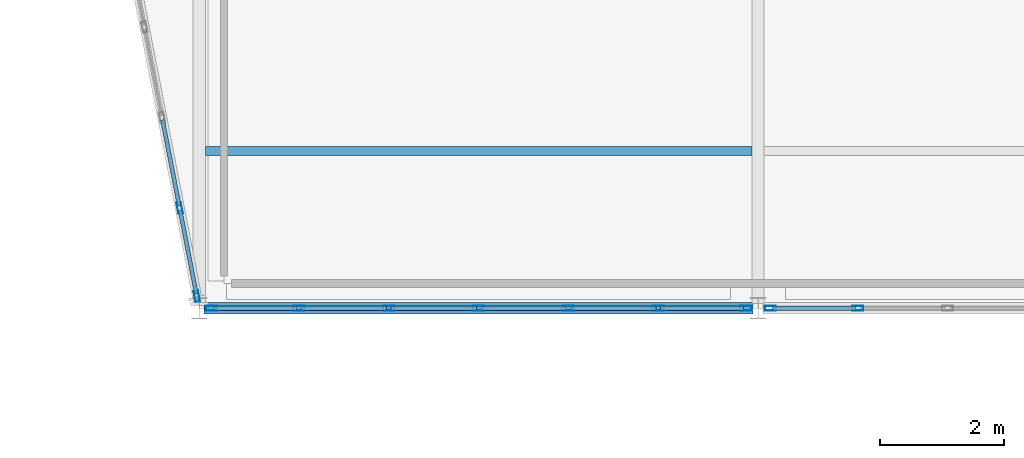
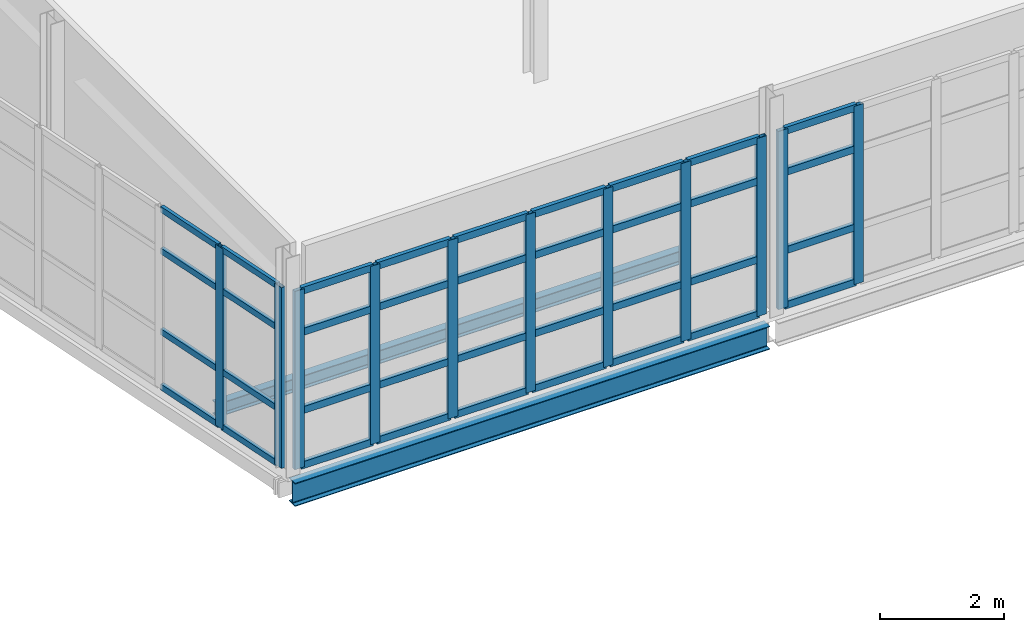
# One storey, part 63 of 174: 47 members, 2 beams, 3 elements without a shape of their own.
"""IFC4 building model written with IfcOpenShell, lengths in metres."""

from ifc_helpers import new_model, si_unit, direction, frame, origin, origin_2d, place, context, subcontext, project, spatial, hollow_rectangle, i_section, extrude, material, material_profile, profile_set, type_object, element, aggregate, save


model = new_model("IFC4")

# Units and contexts
model_context = context("Model", 3, precision=1e-05, world=origin(), true_north=direction((0.0, 1.0)))
body_context = subcontext(model_context, "Body", "Model", "MODEL_VIEW")
ifc_project = project(units=[si_unit("LENGTHUNIT", "METRE"), si_unit("AREAUNIT", "SQUARE_METRE"), si_unit("VOLUMEUNIT", "CUBIC_METRE"), si_unit("PLANEANGLEUNIT", "RADIAN"), si_unit("MASSUNIT", "GRAM", prefix="KILO")], contexts=[model_context])

# Site, building, storey
site_placement = place(None, origin())
site = spatial("IfcSite", under=ifc_project, at=site_placement, CompositionType="ELEMENT")
building_placement = place(site_placement, origin())
building = spatial("IfcBuilding", under=site, at=building_placement, Name="Caisbarro Railhouse Central Library", CompositionType="ELEMENT")
storey_placement = place(building_placement, frame((0.0, 0.0, 5.0400390625)))
storey = spatial("IfcBuildingStorey", under=building, at=storey_placement, Name="L01", CompositionType="ELEMENT", Elevation=5.0400390625)

# Beams
ifc_material_1 = material(Name="Steel ASTM A572 Grade 50", Category="steel")
ifc_material_profile_1 = material_profile(ifc_material_1, i_section(OverallWidth=0.14794921875, OverallDepth=0.26611328125, WebThickness=0.007568359375, FlangeThickness=0.012939453125, FilletRadius=0.010009765625, at=origin_2d()), Name="W250X44.8")
ifc_profile_set_1 = profile_set([ifc_material_profile_1], Name="Steel ASTM A572 Grade 50")
beam_type_1 = type_object("IfcBeamType", Name="BM-J04", PredefinedType="JOIST", material=ifc_profile_set_1)
beam_1_placement = place(storey_placement, frame((117.10009765625, 63.333251953125, -0.35302734375), z_axis=(1.0, 0.0, 0.0), x_axis=(0.0, 1.0, 0.0)))
element("IfcBeam", 1, at=beam_1_placement, inside=storey, type_object=beam_type_1, Name="J04 beam L01 #964", PredefinedType="JOIST", context=body_context, shape_type="SweptSolid", body=[
    extrude(i_section(OverallWidth=0.14794921875, OverallDepth=0.26611328125, WebThickness=0.007568359375, FlangeThickness=0.012939453125, FilletRadius=0.010009765625, at=origin_2d()), origin(), (0.0, 0.0, 1.0), 8.804931640625),
])
ifc_material_profile_2 = material_profile(ifc_material_1, i_section(OverallWidth=0.18994140625, OverallDepth=0.45703125, WebThickness=0.009033203125, FlangeThickness=0.014404296875, FilletRadius=0.01806640625, at=origin_2d()), Name="W460X74.0")
ifc_profile_set_2 = profile_set([ifc_material_profile_2], Name="Steel ASTM A572 Grade 50")
beam_type_2 = type_object("IfcBeamType", Name="BM-SP01", PredefinedType="SPANDREL", material=ifc_profile_set_2)
beam_2_placement = place(storey_placement, frame((117.080078125, 60.800048828125, -0.448486328125), z_axis=(1.0, 0.0, 0.0), x_axis=(0.0, 1.0, 0.0)))
element("IfcBeam", 2, at=beam_2_placement, inside=storey, type_object=beam_type_2, Name="SP01 beam L01 #901", PredefinedType="SPANDREL", context=body_context, shape_type="SweptSolid", body=[
    extrude(i_section(OverallWidth=0.18994140625, OverallDepth=0.45703125, WebThickness=0.009033203125, FlangeThickness=0.014404296875, FilletRadius=0.01806640625, at=origin_2d()), origin(), (0.0, 0.0, 1.0), 8.83984375),
])

# Curtain wall, members
ifc_material_2 = material(Name="Anodised architectural aluminium", Category="aluminium")
curtain_wall_type = type_object("IfcCurtainWallType", Name="CW-CW02", PredefinedType="NOTDEFINED", material=ifc_material_2)
curtain_wall_1_placement = place(storey_placement, origin())
curtain_wall_1 = element("IfcCurtainWall", 3, at=curtain_wall_1_placement, inside=storey, type_object=curtain_wall_type, Name="CW02 curtain wall L01 #110", PredefinedType="NOTDEFINED")
ifc_material_profile_3 = material_profile(ifc_material_2, hollow_rectangle(XDim=0.074951171875, YDim=0.179931640625, WallThickness=0.00439453125, at=origin_2d()), Name="ALU-MUL-75X180")
ifc_profile_set_3 = profile_set([ifc_material_profile_3], Name="Anodised architectural aluminium")
member_type_1 = type_object("IfcMemberType", Name="CWM-M01", PredefinedType="MULLION", material=ifc_profile_set_3)
member_1_placement = place(storey_placement, frame((116.96240234375, 60.993896484375, 0.0), z_axis=(0.0, 0.0, 1.0), x_axis=(-0.981632635401, -0.190780945369, 0.0)))
member_1 = element("IfcMember", 4, at=member_1_placement, type_object=member_type_1, Name="CW02 mullion 1", PredefinedType="MULLION", context=body_context, shape_type="SweptSolid", body=[
    extrude(hollow_rectangle(XDim=0.074951171875, YDim=0.179931640625, WallThickness=0.00439453125, at=origin_2d()), origin(), (0.0, 0.0, 1.0), 3.56005859375),
])
member_2_placement = place(storey_placement, frame((116.686279296875, 62.414306640625, 0.0), z_axis=(0.0, 0.0, 1.0), x_axis=(-0.981632635401, -0.190780945369, 0.0)))
member_2 = element("IfcMember", 5, at=member_2_placement, type_object=member_type_1, Name="CW02 mullion 2", PredefinedType="MULLION", context=body_context, shape_type="SweptSolid", body=[
    extrude(hollow_rectangle(XDim=0.074951171875, YDim=0.179931640625, WallThickness=0.00439453125, at=origin_2d()), origin(), (0.0, 0.0, 1.0), 3.56005859375),
])

curtain_wall_2_placement = place(storey_placement, origin())
curtain_wall_2 = element("IfcCurtainWall", 6, at=curtain_wall_2_placement, inside=storey, type_object=curtain_wall_type, Name="CW02 curtain wall L01 #117", PredefinedType="NOTDEFINED")
member_3_placement = place(storey_placement, frame((117.197509765625, 60.800048828125, 0.0), z_axis=(0.0, 0.0, 1.0), x_axis=(0.0, 1.0, 0.0)))
member_3 = element("IfcMember", 7, at=member_3_placement, type_object=member_type_1, Name="CW02 mullion 1", PredefinedType="MULLION", context=body_context, shape_type="SweptSolid", body=[
    extrude(hollow_rectangle(XDim=0.074951171875, YDim=0.179931640625, WallThickness=0.00439453125, at=origin_2d()), origin(), (0.0, 0.0, 1.0), 3.510009765625),
])
member_4_placement = place(storey_placement, frame((118.606689453125, 60.800048828125, 0.0), z_axis=(0.0, 0.0, 1.0), x_axis=(0.0, 1.0, 0.0)))
member_4 = element("IfcMember", 8, at=member_4_placement, type_object=member_type_1, Name="CW02 mullion 2", PredefinedType="MULLION", context=body_context, shape_type="SweptSolid", body=[
    extrude(hollow_rectangle(XDim=0.074951171875, YDim=0.179931640625, WallThickness=0.00439453125, at=origin_2d()), origin(), (0.0, 0.0, 1.0), 3.510009765625),
])
member_5_placement = place(storey_placement, frame((120.05322265625, 60.800048828125, 0.0), z_axis=(0.0, 0.0, 1.0), x_axis=(0.0, 1.0, 0.0)))
member_5 = element("IfcMember", 9, at=member_5_placement, type_object=member_type_1, Name="CW02 mullion 3", PredefinedType="MULLION", context=body_context, shape_type="SweptSolid", body=[
    extrude(hollow_rectangle(XDim=0.074951171875, YDim=0.179931640625, WallThickness=0.00439453125, at=origin_2d()), origin(), (0.0, 0.0, 1.0), 3.510009765625),
])
member_6_placement = place(storey_placement, frame((121.5, 60.800048828125, 0.0), z_axis=(0.0, 0.0, 1.0), x_axis=(0.0, 1.0, 0.0)))
member_6 = element("IfcMember", 10, at=member_6_placement, type_object=member_type_1, Name="CW02 mullion 4", PredefinedType="MULLION", context=body_context, shape_type="SweptSolid", body=[
    extrude(hollow_rectangle(XDim=0.074951171875, YDim=0.179931640625, WallThickness=0.00439453125, at=origin_2d()), origin(), (0.0, 0.0, 1.0), 3.510009765625),
])
member_7_placement = place(storey_placement, frame((122.94677734375, 60.800048828125, 0.0), z_axis=(0.0, 0.0, 1.0), x_axis=(0.0, 1.0, 0.0)))
member_7 = element("IfcMember", 11, at=member_7_placement, type_object=member_type_1, Name="CW02 mullion 5", PredefinedType="MULLION", context=body_context, shape_type="SweptSolid", body=[
    extrude(hollow_rectangle(XDim=0.074951171875, YDim=0.179931640625, WallThickness=0.00439453125, at=origin_2d()), origin(), (0.0, 0.0, 1.0), 3.510009765625),
])
member_8_placement = place(storey_placement, frame((124.393310546875, 60.800048828125, 0.0), z_axis=(0.0, 0.0, 1.0), x_axis=(0.0, 1.0, 0.0)))
member_8 = element("IfcMember", 12, at=member_8_placement, type_object=member_type_1, Name="CW02 mullion 6", PredefinedType="MULLION", context=body_context, shape_type="SweptSolid", body=[
    extrude(hollow_rectangle(XDim=0.074951171875, YDim=0.179931640625, WallThickness=0.00439453125, at=origin_2d()), origin(), (0.0, 0.0, 1.0), 3.510009765625),
])
member_9_placement = place(storey_placement, frame((125.802490234375, 60.800048828125, 0.0), z_axis=(0.0, 0.0, 1.0), x_axis=(0.0, 1.0, 0.0)))
member_9 = element("IfcMember", 13, at=member_9_placement, type_object=member_type_1, Name="CW02 mullion 7", PredefinedType="MULLION", context=body_context, shape_type="SweptSolid", body=[
    extrude(hollow_rectangle(XDim=0.074951171875, YDim=0.179931640625, WallThickness=0.00439453125, at=origin_2d()), origin(), (0.0, 0.0, 1.0), 3.510009765625),
])

curtain_wall_3_placement = place(storey_placement, origin())
curtain_wall_3 = element("IfcCurtainWall", 14, at=curtain_wall_3_placement, inside=storey, type_object=curtain_wall_type, Name="CW02 curtain wall L01 #118", PredefinedType="NOTDEFINED")
member_10_placement = place(storey_placement, frame((126.197509765625, 60.800048828125, 0.0), z_axis=(0.0, 0.0, 1.0), x_axis=(0.0, 1.0, 0.0)))
member_10 = element("IfcMember", 15, at=member_10_placement, type_object=member_type_1, Name="CW02 mullion 1", PredefinedType="MULLION", context=body_context, shape_type="SweptSolid", body=[
    extrude(hollow_rectangle(XDim=0.074951171875, YDim=0.179931640625, WallThickness=0.00439453125, at=origin_2d()), origin(), (0.0, 0.0, 1.0), 3.510009765625),
])
member_11_placement = place(storey_placement, frame((127.606689453125, 60.800048828125, 0.0), z_axis=(0.0, 0.0, 1.0), x_axis=(0.0, 1.0, 0.0)))
member_11 = element("IfcMember", 16, at=member_11_placement, type_object=member_type_1, Name="CW02 mullion 2", PredefinedType="MULLION", context=body_context, shape_type="SweptSolid", body=[
    extrude(hollow_rectangle(XDim=0.074951171875, YDim=0.179931640625, WallThickness=0.00439453125, at=origin_2d()), origin(), (0.0, 0.0, 1.0), 3.510009765625),
])

# Member
ifc_material_profile_4 = material_profile(ifc_material_2, hollow_rectangle(XDim=0.074951171875, YDim=0.139892578125, WallThickness=0.00390625, at=origin_2d()), Name="ALU-TRN-75X140")
ifc_profile_set_4 = profile_set([ifc_material_profile_4], Name="Anodised architectural aluminium")
member_type_2 = type_object("IfcMemberType", Name="CWT-T01", PredefinedType="USERDEFINED", material=ifc_profile_set_4)
member_12_placement = place(storey_placement, frame((117.235107421875, 60.800048828125, 0.037353515625), z_axis=(1.0, 0.0, 0.0), x_axis=(0.0, 1.0, 0.0)))
member_12 = element("IfcMember", 17, at=member_12_placement, type_object=member_type_2, Name="CW02 transom 1.1", ObjectType="TRANSOM", PredefinedType="USERDEFINED", context=body_context, shape_type="SweptSolid", body=[
    extrude(hollow_rectangle(XDim=0.074951171875, YDim=0.139892578125, WallThickness=0.00390625, at=origin_2d()), origin(), (0.0, 0.0, 1.0), 1.333984375),
])

member_13_placement = place(storey_placement, frame((117.235107421875, 60.800048828125, 1.119873046875), z_axis=(1.0, 0.0, 0.0), x_axis=(0.0, 1.0, 0.0)))
member_13 = element("IfcMember", 18, at=member_13_placement, type_object=member_type_2, Name="CW02 transom 1.2", ObjectType="TRANSOM", PredefinedType="USERDEFINED", context=body_context, shape_type="SweptSolid", body=[
    extrude(hollow_rectangle(XDim=0.074951171875, YDim=0.139892578125, WallThickness=0.00390625, at=origin_2d()), origin(), (0.0, 0.0, 1.0), 1.333984375),
])

member_14_placement = place(storey_placement, frame((117.235107421875, 60.800048828125, 2.659912109375), z_axis=(1.0, 0.0, 0.0), x_axis=(0.0, 1.0, 0.0)))
member_14 = element("IfcMember", 19, at=member_14_placement, type_object=member_type_2, Name="CW02 transom 1.3", ObjectType="TRANSOM", PredefinedType="USERDEFINED", context=body_context, shape_type="SweptSolid", body=[
    extrude(hollow_rectangle(XDim=0.074951171875, YDim=0.139892578125, WallThickness=0.00390625, at=origin_2d()), origin(), (0.0, 0.0, 1.0), 1.333984375),
])

member_15_placement = place(storey_placement, frame((117.235107421875, 60.800048828125, 3.472412109375), z_axis=(1.0, 0.0, 0.0), x_axis=(0.0, 1.0, 0.0)))
member_15 = element("IfcMember", 20, at=member_15_placement, type_object=member_type_2, Name="CW02 transom 1.4", ObjectType="TRANSOM", PredefinedType="USERDEFINED", context=body_context, shape_type="SweptSolid", body=[
    extrude(hollow_rectangle(XDim=0.074951171875, YDim=0.139892578125, WallThickness=0.00390625, at=origin_2d()), origin(), (0.0, 0.0, 1.0), 1.333984375),
])

member_16_placement = place(storey_placement, frame((118.644287109375, 60.800048828125, 0.037353515625), z_axis=(1.0, 0.0, 0.0), x_axis=(0.0, 1.0, 0.0)))
member_16 = element("IfcMember", 21, at=member_16_placement, type_object=member_type_2, Name="CW02 transom 2.1", ObjectType="TRANSOM", PredefinedType="USERDEFINED", context=body_context, shape_type="SweptSolid", body=[
    extrude(hollow_rectangle(XDim=0.074951171875, YDim=0.139892578125, WallThickness=0.00390625, at=origin_2d()), origin(), (0.0, 0.0, 1.0), 1.37158203125),
])

member_17_placement = place(storey_placement, frame((118.644287109375, 60.800048828125, 1.119873046875), z_axis=(1.0, 0.0, 0.0), x_axis=(0.0, 1.0, 0.0)))
member_17 = element("IfcMember", 22, at=member_17_placement, type_object=member_type_2, Name="CW02 transom 2.2", ObjectType="TRANSOM", PredefinedType="USERDEFINED", context=body_context, shape_type="SweptSolid", body=[
    extrude(hollow_rectangle(XDim=0.074951171875, YDim=0.139892578125, WallThickness=0.00390625, at=origin_2d()), origin(), (0.0, 0.0, 1.0), 1.37158203125),
])

member_18_placement = place(storey_placement, frame((118.644287109375, 60.800048828125, 2.659912109375), z_axis=(1.0, 0.0, 0.0), x_axis=(0.0, 1.0, 0.0)))
member_18 = element("IfcMember", 23, at=member_18_placement, type_object=member_type_2, Name="CW02 transom 2.3", ObjectType="TRANSOM", PredefinedType="USERDEFINED", context=body_context, shape_type="SweptSolid", body=[
    extrude(hollow_rectangle(XDim=0.074951171875, YDim=0.139892578125, WallThickness=0.00390625, at=origin_2d()), origin(), (0.0, 0.0, 1.0), 1.37158203125),
])

member_19_placement = place(storey_placement, frame((118.644287109375, 60.800048828125, 3.472412109375), z_axis=(1.0, 0.0, 0.0), x_axis=(0.0, 1.0, 0.0)))
member_19 = element("IfcMember", 24, at=member_19_placement, type_object=member_type_2, Name="CW02 transom 2.4", ObjectType="TRANSOM", PredefinedType="USERDEFINED", context=body_context, shape_type="SweptSolid", body=[
    extrude(hollow_rectangle(XDim=0.074951171875, YDim=0.139892578125, WallThickness=0.00390625, at=origin_2d()), origin(), (0.0, 0.0, 1.0), 1.37158203125),
])

member_20_placement = place(storey_placement, frame((120.0908203125, 60.800048828125, 0.037353515625), z_axis=(1.0, 0.0, 0.0), x_axis=(0.0, 1.0, 0.0)))
member_20 = element("IfcMember", 25, at=member_20_placement, type_object=member_type_2, Name="CW02 transom 3.1", ObjectType="TRANSOM", PredefinedType="USERDEFINED", context=body_context, shape_type="SweptSolid", body=[
    extrude(hollow_rectangle(XDim=0.074951171875, YDim=0.139892578125, WallThickness=0.00390625, at=origin_2d()), origin(), (0.0, 0.0, 1.0), 1.37158203125),
])

member_21_placement = place(storey_placement, frame((120.0908203125, 60.800048828125, 1.119873046875), z_axis=(1.0, 0.0, 0.0), x_axis=(0.0, 1.0, 0.0)))
member_21 = element("IfcMember", 26, at=member_21_placement, type_object=member_type_2, Name="CW02 transom 3.2", ObjectType="TRANSOM", PredefinedType="USERDEFINED", context=body_context, shape_type="SweptSolid", body=[
    extrude(hollow_rectangle(XDim=0.074951171875, YDim=0.139892578125, WallThickness=0.00390625, at=origin_2d()), origin(), (0.0, 0.0, 1.0), 1.37158203125),
])

member_22_placement = place(storey_placement, frame((120.0908203125, 60.800048828125, 2.659912109375), z_axis=(1.0, 0.0, 0.0), x_axis=(0.0, 1.0, 0.0)))
member_22 = element("IfcMember", 27, at=member_22_placement, type_object=member_type_2, Name="CW02 transom 3.3", ObjectType="TRANSOM", PredefinedType="USERDEFINED", context=body_context, shape_type="SweptSolid", body=[
    extrude(hollow_rectangle(XDim=0.074951171875, YDim=0.139892578125, WallThickness=0.00390625, at=origin_2d()), origin(), (0.0, 0.0, 1.0), 1.37158203125),
])

member_23_placement = place(storey_placement, frame((120.0908203125, 60.800048828125, 3.472412109375), z_axis=(1.0, 0.0, 0.0), x_axis=(0.0, 1.0, 0.0)))
member_23 = element("IfcMember", 28, at=member_23_placement, type_object=member_type_2, Name="CW02 transom 3.4", ObjectType="TRANSOM", PredefinedType="USERDEFINED", context=body_context, shape_type="SweptSolid", body=[
    extrude(hollow_rectangle(XDim=0.074951171875, YDim=0.139892578125, WallThickness=0.00390625, at=origin_2d()), origin(), (0.0, 0.0, 1.0), 1.37158203125),
])

member_24_placement = place(storey_placement, frame((121.53759765625, 60.800048828125, 0.037353515625), z_axis=(1.0, 0.0, 0.0), x_axis=(0.0, 1.0, 0.0)))
member_24 = element("IfcMember", 29, at=member_24_placement, type_object=member_type_2, Name="CW02 transom 4.1", ObjectType="TRANSOM", PredefinedType="USERDEFINED", context=body_context, shape_type="SweptSolid", body=[
    extrude(hollow_rectangle(XDim=0.074951171875, YDim=0.139892578125, WallThickness=0.00390625, at=origin_2d()), origin(), (0.0, 0.0, 1.0), 1.37158203125),
])

member_25_placement = place(storey_placement, frame((121.53759765625, 60.800048828125, 1.119873046875), z_axis=(1.0, 0.0, 0.0), x_axis=(0.0, 1.0, 0.0)))
member_25 = element("IfcMember", 30, at=member_25_placement, type_object=member_type_2, Name="CW02 transom 4.2", ObjectType="TRANSOM", PredefinedType="USERDEFINED", context=body_context, shape_type="SweptSolid", body=[
    extrude(hollow_rectangle(XDim=0.074951171875, YDim=0.139892578125, WallThickness=0.00390625, at=origin_2d()), origin(), (0.0, 0.0, 1.0), 1.37158203125),
])

member_26_placement = place(storey_placement, frame((121.53759765625, 60.800048828125, 2.659912109375), z_axis=(1.0, 0.0, 0.0), x_axis=(0.0, 1.0, 0.0)))
member_26 = element("IfcMember", 31, at=member_26_placement, type_object=member_type_2, Name="CW02 transom 4.3", ObjectType="TRANSOM", PredefinedType="USERDEFINED", context=body_context, shape_type="SweptSolid", body=[
    extrude(hollow_rectangle(XDim=0.074951171875, YDim=0.139892578125, WallThickness=0.00390625, at=origin_2d()), origin(), (0.0, 0.0, 1.0), 1.37158203125),
])

member_27_placement = place(storey_placement, frame((121.53759765625, 60.800048828125, 3.472412109375), z_axis=(1.0, 0.0, 0.0), x_axis=(0.0, 1.0, 0.0)))
member_27 = element("IfcMember", 32, at=member_27_placement, type_object=member_type_2, Name="CW02 transom 4.4", ObjectType="TRANSOM", PredefinedType="USERDEFINED", context=body_context, shape_type="SweptSolid", body=[
    extrude(hollow_rectangle(XDim=0.074951171875, YDim=0.139892578125, WallThickness=0.00390625, at=origin_2d()), origin(), (0.0, 0.0, 1.0), 1.37158203125),
])

member_28_placement = place(storey_placement, frame((122.984130859375, 60.800048828125, 0.037353515625), z_axis=(1.0, 0.0, 0.0), x_axis=(0.0, 1.0, 0.0)))
member_28 = element("IfcMember", 33, at=member_28_placement, type_object=member_type_2, Name="CW02 transom 5.1", ObjectType="TRANSOM", PredefinedType="USERDEFINED", context=body_context, shape_type="SweptSolid", body=[
    extrude(hollow_rectangle(XDim=0.074951171875, YDim=0.139892578125, WallThickness=0.00390625, at=origin_2d()), origin(), (0.0, 0.0, 1.0), 1.37158203125),
])

member_29_placement = place(storey_placement, frame((122.984130859375, 60.800048828125, 1.119873046875), z_axis=(1.0, 0.0, 0.0), x_axis=(0.0, 1.0, 0.0)))
member_29 = element("IfcMember", 34, at=member_29_placement, type_object=member_type_2, Name="CW02 transom 5.2", ObjectType="TRANSOM", PredefinedType="USERDEFINED", context=body_context, shape_type="SweptSolid", body=[
    extrude(hollow_rectangle(XDim=0.074951171875, YDim=0.139892578125, WallThickness=0.00390625, at=origin_2d()), origin(), (0.0, 0.0, 1.0), 1.37158203125),
])

member_30_placement = place(storey_placement, frame((122.984130859375, 60.800048828125, 2.659912109375), z_axis=(1.0, 0.0, 0.0), x_axis=(0.0, 1.0, 0.0)))
member_30 = element("IfcMember", 35, at=member_30_placement, type_object=member_type_2, Name="CW02 transom 5.3", ObjectType="TRANSOM", PredefinedType="USERDEFINED", context=body_context, shape_type="SweptSolid", body=[
    extrude(hollow_rectangle(XDim=0.074951171875, YDim=0.139892578125, WallThickness=0.00390625, at=origin_2d()), origin(), (0.0, 0.0, 1.0), 1.37158203125),
])

member_31_placement = place(storey_placement, frame((122.984130859375, 60.800048828125, 3.472412109375), z_axis=(1.0, 0.0, 0.0), x_axis=(0.0, 1.0, 0.0)))
member_31 = element("IfcMember", 36, at=member_31_placement, type_object=member_type_2, Name="CW02 transom 5.4", ObjectType="TRANSOM", PredefinedType="USERDEFINED", context=body_context, shape_type="SweptSolid", body=[
    extrude(hollow_rectangle(XDim=0.074951171875, YDim=0.139892578125, WallThickness=0.00390625, at=origin_2d()), origin(), (0.0, 0.0, 1.0), 1.37158203125),
])

member_32_placement = place(storey_placement, frame((124.430908203125, 60.800048828125, 0.037353515625), z_axis=(1.0, 0.0, 0.0), x_axis=(0.0, 1.0, 0.0)))
member_32 = element("IfcMember", 37, at=member_32_placement, type_object=member_type_2, Name="CW02 transom 6.1", ObjectType="TRANSOM", PredefinedType="USERDEFINED", context=body_context, shape_type="SweptSolid", body=[
    extrude(hollow_rectangle(XDim=0.074951171875, YDim=0.139892578125, WallThickness=0.00390625, at=origin_2d()), origin(), (0.0, 0.0, 1.0), 1.333984375),
])

member_33_placement = place(storey_placement, frame((124.430908203125, 60.800048828125, 1.119873046875), z_axis=(1.0, 0.0, 0.0), x_axis=(0.0, 1.0, 0.0)))
member_33 = element("IfcMember", 38, at=member_33_placement, type_object=member_type_2, Name="CW02 transom 6.2", ObjectType="TRANSOM", PredefinedType="USERDEFINED", context=body_context, shape_type="SweptSolid", body=[
    extrude(hollow_rectangle(XDim=0.074951171875, YDim=0.139892578125, WallThickness=0.00390625, at=origin_2d()), origin(), (0.0, 0.0, 1.0), 1.333984375),
])

member_34_placement = place(storey_placement, frame((124.430908203125, 60.800048828125, 2.659912109375), z_axis=(1.0, 0.0, 0.0), x_axis=(0.0, 1.0, 0.0)))
member_34 = element("IfcMember", 39, at=member_34_placement, type_object=member_type_2, Name="CW02 transom 6.3", ObjectType="TRANSOM", PredefinedType="USERDEFINED", context=body_context, shape_type="SweptSolid", body=[
    extrude(hollow_rectangle(XDim=0.074951171875, YDim=0.139892578125, WallThickness=0.00390625, at=origin_2d()), origin(), (0.0, 0.0, 1.0), 1.333984375),
])

member_35_placement = place(storey_placement, frame((124.430908203125, 60.800048828125, 3.472412109375), z_axis=(1.0, 0.0, 0.0), x_axis=(0.0, 1.0, 0.0)))
member_35 = element("IfcMember", 40, at=member_35_placement, type_object=member_type_2, Name="CW02 transom 6.4", ObjectType="TRANSOM", PredefinedType="USERDEFINED", context=body_context, shape_type="SweptSolid", body=[
    extrude(hollow_rectangle(XDim=0.074951171875, YDim=0.139892578125, WallThickness=0.00390625, at=origin_2d()), origin(), (0.0, 0.0, 1.0), 1.333984375),
])

aggregate(curtain_wall_2, [member_3, member_4, member_5, member_6, member_7, member_8, member_9, member_12, member_13, member_14, member_15, member_16, member_17, member_18, member_19, member_20, member_21, member_22, member_23, member_24, member_25, member_26, member_27, member_28, member_29, member_30, member_31, member_32, member_33, member_34, member_35])

member_36_placement = place(storey_placement, frame((126.235107421875, 60.800048828125, 0.037353515625), z_axis=(1.0, 0.0, 0.0), x_axis=(0.0, 1.0, 0.0)))
member_36 = element("IfcMember", 41, at=member_36_placement, type_object=member_type_2, Name="CW02 transom 1.1", ObjectType="TRANSOM", PredefinedType="USERDEFINED", context=body_context, shape_type="SweptSolid", body=[
    extrude(hollow_rectangle(XDim=0.074951171875, YDim=0.139892578125, WallThickness=0.00390625, at=origin_2d()), origin(), (0.0, 0.0, 1.0), 1.333984375),
])

member_37_placement = place(storey_placement, frame((126.235107421875, 60.800048828125, 1.119873046875), z_axis=(1.0, 0.0, 0.0), x_axis=(0.0, 1.0, 0.0)))
member_37 = element("IfcMember", 42, at=member_37_placement, type_object=member_type_2, Name="CW02 transom 1.2", ObjectType="TRANSOM", PredefinedType="USERDEFINED", context=body_context, shape_type="SweptSolid", body=[
    extrude(hollow_rectangle(XDim=0.074951171875, YDim=0.139892578125, WallThickness=0.00390625, at=origin_2d()), origin(), (0.0, 0.0, 1.0), 1.333984375),
])

member_38_placement = place(storey_placement, frame((126.235107421875, 60.800048828125, 2.659912109375), z_axis=(1.0, 0.0, 0.0), x_axis=(0.0, 1.0, 0.0)))
member_38 = element("IfcMember", 43, at=member_38_placement, type_object=member_type_2, Name="CW02 transom 1.3", ObjectType="TRANSOM", PredefinedType="USERDEFINED", context=body_context, shape_type="SweptSolid", body=[
    extrude(hollow_rectangle(XDim=0.074951171875, YDim=0.139892578125, WallThickness=0.00390625, at=origin_2d()), origin(), (0.0, 0.0, 1.0), 1.333984375),
])

member_39_placement = place(storey_placement, frame((126.235107421875, 60.800048828125, 3.472412109375), z_axis=(1.0, 0.0, 0.0), x_axis=(0.0, 1.0, 0.0)))
member_39 = element("IfcMember", 44, at=member_39_placement, type_object=member_type_2, Name="CW02 transom 1.4", ObjectType="TRANSOM", PredefinedType="USERDEFINED", context=body_context, shape_type="SweptSolid", body=[
    extrude(hollow_rectangle(XDim=0.074951171875, YDim=0.139892578125, WallThickness=0.00390625, at=origin_2d()), origin(), (0.0, 0.0, 1.0), 1.333984375),
])

aggregate(curtain_wall_3, [member_10, member_11, member_36, member_37, member_38, member_39])

ifc_material_profile_5 = material_profile(ifc_material_2, hollow_rectangle(XDim=0.06494140625, YDim=0.1201171875, WallThickness=0.00341796875, at=origin_2d()), Name="ALU-TRN-65X120")
ifc_profile_set_5 = profile_set([ifc_material_profile_5], Name="Anodised architectural aluminium")
member_type_3 = type_object("IfcMemberType", Name="CWT-T02", PredefinedType="USERDEFINED", material=ifc_profile_set_5)
member_40_placement = place(storey_placement, frame((116.955078125, 61.03076171875, 0.032470703125), z_axis=(-0.190774392735, 0.981633908887, 0.0), x_axis=(-0.981633908887, -0.190774392735, 0.0)))
member_40 = element("IfcMember", 45, at=member_40_placement, type_object=member_type_3, Name="CW02 transom 1.1", ObjectType="TRANSOM", PredefinedType="USERDEFINED", context=body_context, shape_type="SweptSolid", body=[
    extrude(hollow_rectangle(XDim=0.06494140625, YDim=0.1201171875, WallThickness=0.00341796875, at=origin_2d()), origin(), (0.0, 0.0, 1.0), 1.371826171875),
])

member_41_placement = place(storey_placement, frame((116.955078125, 61.03076171875, 1.119873046875), z_axis=(-0.190774392735, 0.981633908887, 0.0), x_axis=(-0.981633908887, -0.190774392735, 0.0)))
member_41 = element("IfcMember", 46, at=member_41_placement, type_object=member_type_3, Name="CW02 transom 1.2", ObjectType="TRANSOM", PredefinedType="USERDEFINED", context=body_context, shape_type="SweptSolid", body=[
    extrude(hollow_rectangle(XDim=0.06494140625, YDim=0.1201171875, WallThickness=0.00341796875, at=origin_2d()), origin(), (0.0, 0.0, 1.0), 1.371826171875),
])

member_42_placement = place(storey_placement, frame((116.955078125, 61.03076171875, 2.7099609375), z_axis=(-0.190774392735, 0.981633908887, 0.0), x_axis=(-0.981633908887, -0.190774392735, 0.0)))
member_42 = element("IfcMember", 47, at=member_42_placement, type_object=member_type_3, Name="CW02 transom 1.3", ObjectType="TRANSOM", PredefinedType="USERDEFINED", context=body_context, shape_type="SweptSolid", body=[
    extrude(hollow_rectangle(XDim=0.06494140625, YDim=0.1201171875, WallThickness=0.00341796875, at=origin_2d()), origin(), (0.0, 0.0, 1.0), 1.371826171875),
])

member_43_placement = place(storey_placement, frame((116.955078125, 61.03076171875, 3.52734375), z_axis=(-0.190774392735, 0.981633908887, 0.0), x_axis=(-0.981633908887, -0.190774392735, 0.0)))
member_43 = element("IfcMember", 48, at=member_43_placement, type_object=member_type_3, Name="CW02 transom 1.4", ObjectType="TRANSOM", PredefinedType="USERDEFINED", context=body_context, shape_type="SweptSolid", body=[
    extrude(hollow_rectangle(XDim=0.06494140625, YDim=0.1201171875, WallThickness=0.00341796875, at=origin_2d()), origin(), (0.0, 0.0, 1.0), 1.371826171875),
])

member_44_placement = place(storey_placement, frame((116.67919921875, 62.451171875, 0.032470703125), z_axis=(-0.190883567843, 0.981612685089, 0.0), x_axis=(-0.981612685089, -0.190883567843, 0.0)))
member_44 = element("IfcMember", 49, at=member_44_placement, type_object=member_type_3, Name="CW02 transom 2.1", ObjectType="TRANSOM", PredefinedType="USERDEFINED", context=body_context, shape_type="SweptSolid", body=[
    extrude(hollow_rectangle(XDim=0.06494140625, YDim=0.1201171875, WallThickness=0.00341796875, at=origin_2d()), origin(), (0.0, 0.0, 1.0), 1.409423828125),
])

member_45_placement = place(storey_placement, frame((116.67919921875, 62.451171875, 1.119873046875), z_axis=(-0.190883567843, 0.981612685089, 0.0), x_axis=(-0.981612685089, -0.190883567843, 0.0)))
member_45 = element("IfcMember", 50, at=member_45_placement, type_object=member_type_3, Name="CW02 transom 2.2", ObjectType="TRANSOM", PredefinedType="USERDEFINED", context=body_context, shape_type="SweptSolid", body=[
    extrude(hollow_rectangle(XDim=0.06494140625, YDim=0.1201171875, WallThickness=0.00341796875, at=origin_2d()), origin(), (0.0, 0.0, 1.0), 1.409423828125),
])

member_46_placement = place(storey_placement, frame((116.67919921875, 62.451171875, 2.7099609375), z_axis=(-0.190883567843, 0.981612685089, 0.0), x_axis=(-0.981612685089, -0.190883567843, 0.0)))
member_46 = element("IfcMember", 51, at=member_46_placement, type_object=member_type_3, Name="CW02 transom 2.3", ObjectType="TRANSOM", PredefinedType="USERDEFINED", context=body_context, shape_type="SweptSolid", body=[
    extrude(hollow_rectangle(XDim=0.06494140625, YDim=0.1201171875, WallThickness=0.00341796875, at=origin_2d()), origin(), (0.0, 0.0, 1.0), 1.409423828125),
])

member_47_placement = place(storey_placement, frame((116.67919921875, 62.451171875, 3.52734375), z_axis=(-0.190883567843, 0.981612685089, 0.0), x_axis=(-0.981612685089, -0.190883567843, 0.0)))
member_47 = element("IfcMember", 52, at=member_47_placement, type_object=member_type_3, Name="CW02 transom 2.4", ObjectType="TRANSOM", PredefinedType="USERDEFINED", context=body_context, shape_type="SweptSolid", body=[
    extrude(hollow_rectangle(XDim=0.06494140625, YDim=0.1201171875, WallThickness=0.00341796875, at=origin_2d()), origin(), (0.0, 0.0, 1.0), 1.409423828125),
])

aggregate(curtain_wall_1, [member_1, member_2, member_40, member_41, member_42, member_43, member_44, member_45, member_46, member_47])

save(model, "model.ifc")
